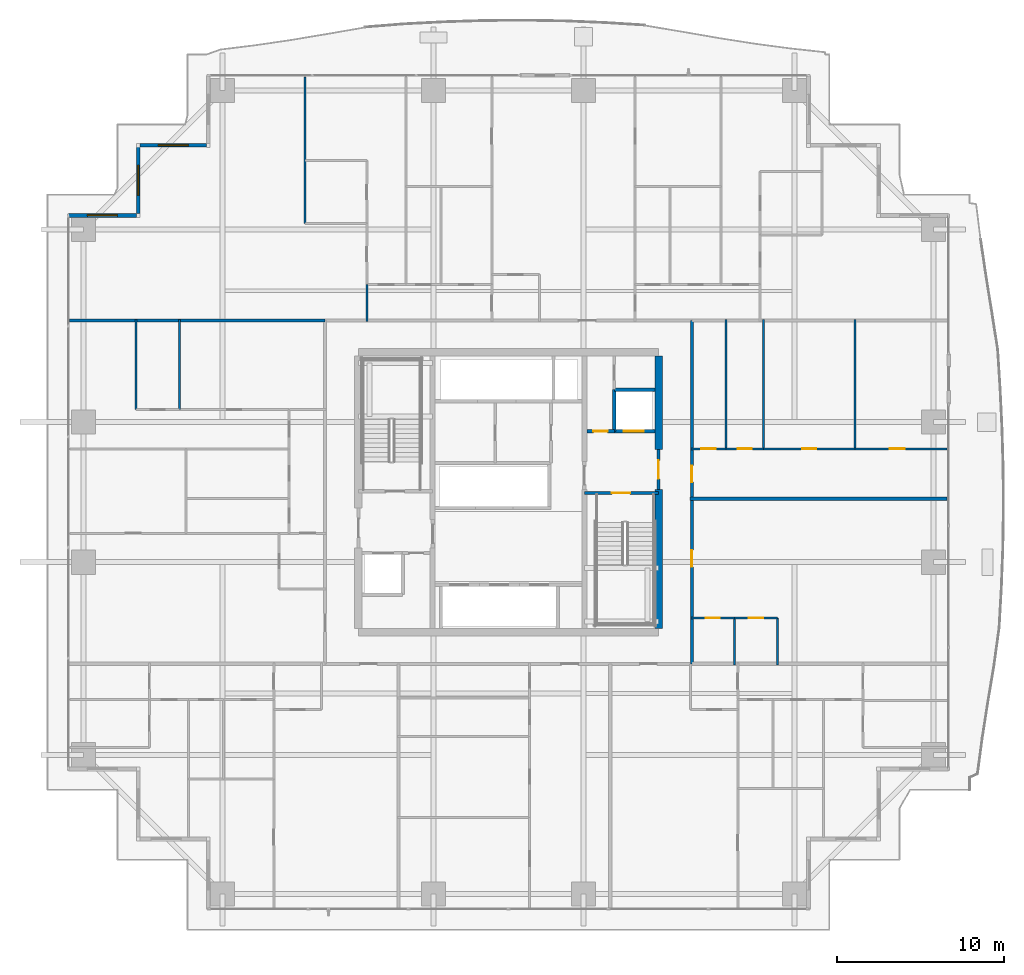
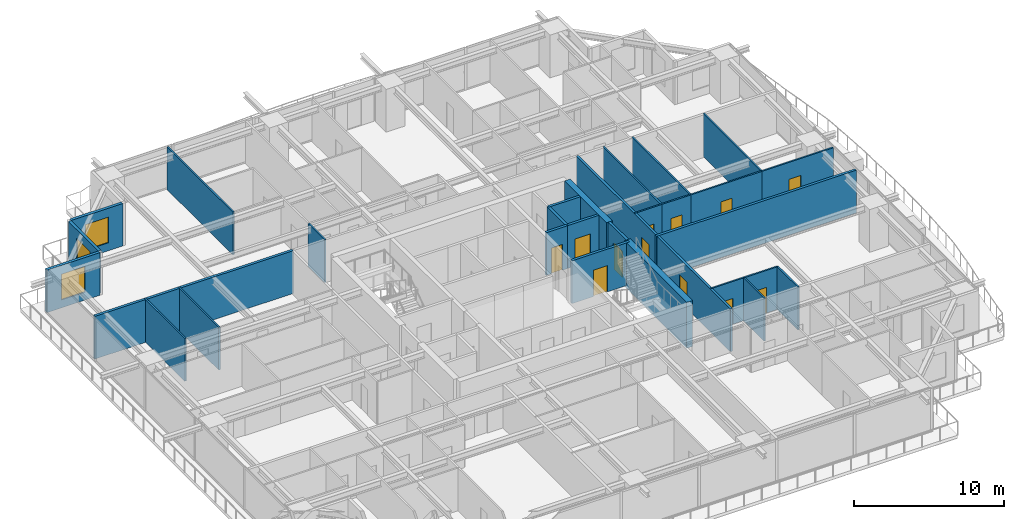
# One storey, part 29 of 38: 29 walls, 12 doors, 3 windows, 15 openings.
"""IFC4 building model written with IfcOpenShell, lengths in metres."""

from ifc_helpers import new_model, si_unit, direction, frame, frame_2d, origin, place, context, subcontext, project, spatial, rectangle, extrude, source, transform, mapped, material, layer, layer_set, type_object, element, fill, save


model = new_model("IFC4")

# Units and contexts
model_context = context("Model", 3, precision=1e-05, world=origin(), true_north=direction((0.0, 1.0)))
body_context = subcontext(model_context, "Body", "Model", "MODEL_VIEW")
ifc_project = project(units=[si_unit("LENGTHUNIT", "METRE"), si_unit("AREAUNIT", "SQUARE_METRE"), si_unit("VOLUMEUNIT", "CUBIC_METRE"), si_unit("PLANEANGLEUNIT", "RADIAN"), si_unit("MASSUNIT", "GRAM", prefix="KILO")], contexts=[model_context])

# Site, building, storey
site_placement = place(None, origin())
site = spatial("IfcSite", under=ifc_project, at=site_placement, CompositionType="ELEMENT")
building_placement = place(site_placement, origin())
building = spatial("IfcBuilding", under=site, at=building_placement, Name="Serunith Strait Residences", CompositionType="ELEMENT")
storey_placement = place(building_placement, frame((0.0, 0.0, 52.949951171875)))
storey = spatial("IfcBuildingStorey", under=building, at=storey_placement, Name="L12", CompositionType="ELEMENT", Elevation=52.949951171875)

# Wall, opening, window
ifc_material_1 = material(Name="Pale-Champagne Aluminium Insulated Panel", Category="aluminium")
ifc_layer_1 = layer(ifc_material_1, 0.219970703125, Name="Pale-Champagne Aluminium Insulated Panel")
ifc_layer_set_1 = layer_set([ifc_layer_1], Name="Pale-Champagne Aluminium Insulated Panel")
wall_type_1 = type_object("IfcWallType", Name="EW-ALUM-220", PredefinedType="ELEMENTEDWALL", material=ifc_layer_set_1)
wall_1_placement = place(storey_placement, frame((14.2900390625, 46.0, 0.0), z_axis=(0.0, 0.0, 1.0), x_axis=(-1.0, 0.0, 0.0)))
wall_1 = element("IfcWall", 1, at=wall_1_placement, inside=storey, type_object=wall_type_1, Name="L12 Girih Serrated Corner Wall 13", PredefinedType="ELEMENTEDWALL", context=body_context, shape_type="SweptSolid", body=[
    extrude(rectangle(XDim=3.97998046875, YDim=0.219970703125, at=frame_2d((1.989990234375, 0.0))), origin(), (0.0, 0.0, 1.0), 3.47509765625),
])
opening_1_placement = place(wall_1_placement, frame((1.090087890625, 0.0, 0.64990234375)))
opening_1 = element("IfcOpeningElement", 2, at=opening_1_placement, cuts=wall_1, Name="Opening W-01", PredefinedType="OPENING", context=body_context, shape_type="SweptSolid", body=[
    extrude(rectangle(XDim=1.800048828125, YDim=2.10009765625, at=frame_2d((0.89990234375, 1.050048828125))), frame((0.0, 0.1201171875, 0.0), z_axis=(0.0, -1.0, 0.0), x_axis=(1.0, 0.0, 0.0)), (0.0, 0.0, 1.0), 0.239990234375),
])
ifc_material_2 = material(Name="Ceramic-Fritted Operable Aluminium Window Glass", Category="aluminium")
window_type = type_object("IfcWindowType", Name="WIN-C1", PartitioningType="DOUBLE_PANEL_VERTICAL", PredefinedType="WINDOW", material=ifc_material_2)
shared_shape_1 = source(origin(), body_context, "Body", "SweptSolid", [
    extrude(rectangle(XDim=1.800048828125, YDim=2.10009765625, at=frame_2d((0.89990234375, 1.050048828125))), frame((0.0, 0.030029296875, 0.0), z_axis=(0.0, -1.0, 0.0), x_axis=(1.0, 0.0, 0.0)), (0.0, 0.0, 1.0), 0.06005859375),
])
window_1_placement = place(opening_1_placement, origin())
window_1 = element("IfcWindow", 3, at=window_1_placement, inside=storey, type_object=window_type, Name="L12 Corner Operable Fritted Window 13", OverallHeight=2.10009765625, OverallWidth=1.800048828125, PartitioningType="SINGLE_PANEL", PredefinedType="WINDOW", context=body_context, shape_type="MappedRepresentation", body=[
    mapped(shared_shape_1, transform((0.0, 0.0, 0.0), scale=1.0)),
])
fill(opening_1, window_1)

wall_2_placement = place(storey_placement, frame((10.199951171875, 45.889892578125, 0.0), z_axis=(0.0, 0.0, 1.0), x_axis=(0.0, -1.0, 0.0)))
wall_2 = element("IfcWall", 4, at=wall_2_placement, inside=storey, type_object=wall_type_1, Name="L12 Girih Serrated Corner Wall 14", PredefinedType="ELEMENTEDWALL", context=body_context, shape_type="SweptSolid", body=[
    extrude(rectangle(XDim=3.97998046875, YDim=0.219970703125, at=frame_2d((1.989990234375, 0.0))), origin(), (0.0, 0.0, 1.0), 3.47509765625),
])
opening_2_placement = place(wall_2_placement, frame((1.090087890625, 0.0, 0.64990234375)))
opening_2 = element("IfcOpeningElement", 5, at=opening_2_placement, cuts=wall_2, Name="Opening W-01", PredefinedType="OPENING", context=body_context, shape_type="SweptSolid", body=[
    extrude(rectangle(XDim=1.800048828125, YDim=2.10009765625, at=frame_2d((0.89990234375, 1.050048828125))), frame((0.0, 0.1201171875, 0.0), z_axis=(0.0, -1.0, 0.0), x_axis=(1.0, 0.0, 0.0)), (0.0, 0.0, 1.0), 0.239990234375),
])
window_2_placement = place(opening_2_placement, origin())
window_2 = element("IfcWindow", 6, at=window_2_placement, inside=storey, type_object=window_type, Name="L12 Corner Operable Fritted Window 14", OverallHeight=2.10009765625, OverallWidth=1.800048828125, PartitioningType="SINGLE_PANEL", PredefinedType="WINDOW", context=body_context, shape_type="MappedRepresentation", body=[
    mapped(shared_shape_1, transform((0.0, 0.0, 0.0), scale=1.0)),
])
fill(opening_2, window_2)

wall_3_placement = place(storey_placement, frame((10.090087890625, 41.800048828125, 0.0), z_axis=(0.0, 0.0, 1.0), x_axis=(-1.0, 0.0, 0.0)))
wall_3 = element("IfcWall", 7, at=wall_3_placement, inside=storey, type_object=wall_type_1, Name="L12 Girih Serrated Corner Wall 15", PredefinedType="ELEMENTEDWALL", context=body_context, shape_type="SweptSolid", body=[
    extrude(rectangle(XDim=4.090087890625, YDim=0.219970703125, at=frame_2d((2.044921875, 0.0))), origin(), (0.0, 0.0, 1.0), 3.47509765625),
])
opening_3_placement = place(wall_3_placement, frame((1.14501953125, 0.0, 0.64990234375)))
opening_3 = element("IfcOpeningElement", 8, at=opening_3_placement, cuts=wall_3, Name="Opening W-01", PredefinedType="OPENING", context=body_context, shape_type="SweptSolid", body=[
    extrude(rectangle(XDim=1.800048828125, YDim=2.10009765625, at=frame_2d((0.89990234375, 1.050048828125))), frame((0.0, 0.1201171875, 0.0), z_axis=(0.0, -1.0, 0.0), x_axis=(1.0, 0.0, 0.0)), (0.0, 0.0, 1.0), 0.239990234375),
])
window_3_placement = place(opening_3_placement, origin())
window_3 = element("IfcWindow", 9, at=window_3_placement, inside=storey, type_object=window_type, Name="L12 Corner Operable Fritted Window 15", OverallHeight=2.10009765625, OverallWidth=1.800048828125, PartitioningType="SINGLE_PANEL", PredefinedType="WINDOW", context=body_context, shape_type="MappedRepresentation", body=[
    mapped(shared_shape_1, transform((0.0, 0.0, 0.0), scale=1.0)),
])
fill(opening_3, window_3)

# Wall, openings, doors
ifc_material_3 = material(Name="Fire-rated acoustic gypsum partition")
ifc_layer_2 = layer(ifc_material_3, 0.179931640625, Name="Fire-rated acoustic gypsum partition")
ifc_layer_set_2 = layer_set([ifc_layer_2], Name="Fire-rated acoustic gypsum partition")
wall_type_2 = type_object("IfcWallType", Name="IW-CORR-180", PredefinedType="PARTITIONING", material=ifc_layer_set_2)
wall_4_placement = place(storey_placement, frame((43.39990234375, 14.89990234375, 0.0), z_axis=(0.0, 0.0, 1.0), x_axis=(0.0, 1.0, 0.0)))
wall_4 = element("IfcWall", 10, at=wall_4_placement, inside=storey, type_object=wall_type_2, Name="L12 Partition Wall 025", PredefinedType="PARTITIONING", context=body_context, shape_type="SweptSolid", body=[
    extrude(rectangle(XDim=20.60009765625, YDim=0.179931640625, at=frame_2d((10.300048828125, 0.0))), origin(), (0.0, 0.0, 1.0), 3.489990234375),
])
opening_4_placement = place(wall_4_placement, frame((5.821044921875, 0.0, 0.0)))
opening_4 = element("IfcOpeningElement", 11, at=opening_4_placement, cuts=wall_4, Name="Opening D-APT1000", PredefinedType="OPENING", context=body_context, shape_type="SweptSolid", body=[
    extrude(rectangle(XDim=1.0, YDim=2.14990234375, at=frame_2d((0.5, 1.074951171875))), frame((0.0, 0.10009765625, 0.0), z_axis=(0.0, -1.0, 0.0), x_axis=(1.0, 0.0, 0.0)), (0.0, 0.0, 1.0), 0.199951171875),
])
opening_5_placement = place(wall_4_placement, frame((10.89794921875, 0.0, 0.0)))
opening_5 = element("IfcOpeningElement", 12, at=opening_5_placement, cuts=wall_4, Name="Opening D-APT1000", PredefinedType="OPENING", context=body_context, shape_type="SweptSolid", body=[
    extrude(rectangle(XDim=1.0, YDim=2.14990234375, at=frame_2d((0.5, 1.074951171875))), frame((0.0, 0.10009765625, 0.0), z_axis=(0.0, -1.0, 0.0), x_axis=(1.0, 0.0, 0.0)), (0.0, 0.0, 1.0), 0.199951171875),
])
ifc_material_4 = material(Name="Solid timber engineered fire door", Category="wood")
door_type_1 = type_object("IfcDoorType", Name="ID-APT-1000", OperationType="NOTDEFINED", PredefinedType="DOOR", material=ifc_material_4)
shared_shape_2 = source(origin(), body_context, "Body", "SweptSolid", [
    extrude(rectangle(XDim=1.0, YDim=2.14990234375, at=frame_2d((0.5, 1.074951171875))), frame((0.0, 0.02490234375, 0.0), z_axis=(0.0, -1.0, 0.0), x_axis=(1.0, 0.0, 0.0)), (0.0, 0.0, 1.0), 0.050048828125),
])
door_1_placement = place(opening_4_placement, origin())
door_1 = element("IfcDoor", 13, at=door_1_placement, inside=storey, type_object=door_type_1, Name="L12 Unit 06 Entrance Door", OperationType="SINGLE_SWING_RIGHT", OverallHeight=2.14990234375, OverallWidth=1.0, PredefinedType="DOOR", context=body_context, shape_type="MappedRepresentation", body=[
    mapped(shared_shape_2, transform((0.0, 0.0, 0.0), scale=1.0)),
])
fill(opening_4, door_1)
door_2_placement = place(opening_5_placement, origin())
door_2 = element("IfcDoor", 14, at=door_2_placement, inside=storey, type_object=door_type_1, Name="L12 Unit 07 Entrance Door", OperationType="SINGLE_SWING_LEFT", OverallHeight=2.14990234375, OverallWidth=1.0, PredefinedType="DOOR", context=body_context, shape_type="MappedRepresentation", body=[
    mapped(shared_shape_2, transform((0.0, 0.0, 0.0), scale=1.0)),
])
fill(opening_5, door_2)

# Walls
ifc_material_5 = material(Name="Lightweight steel-stud gypsum partition", Category="steel")
ifc_layer_3 = layer(ifc_material_5, 0.1201171875, Name="Lightweight steel-stud gypsum partition")
ifc_layer_set_3 = layer_set([ifc_layer_3], Name="Lightweight steel-stud gypsum partition")
wall_type_3 = type_object("IfcWallType", Name="IW-PART-120", PredefinedType="PARTITIONING", material=ifc_layer_set_3)
wall_5_placement = place(storey_placement, frame((20.199951171875, 50.10498046875, 0.0), z_axis=(0.0, 0.0, 1.0), x_axis=(0.0, -1.0, 0.0)))
element("IfcWall", 15, at=wall_5_placement, inside=storey, type_object=wall_type_3, Name="L12 Partition Wall 075", PredefinedType="PARTITIONING", context=body_context, shape_type="SweptSolid", body=[
    extrude(rectangle(XDim=8.798095703125, YDim=0.1201171875, at=frame_2d((4.39892578125, 0.0))), origin(), (0.0, 0.0, 1.0), 3.489990234375),
])
wall_6_placement = place(storey_placement, frame((23.89990234375, 37.64794921875, 0.0), z_axis=(0.0, 0.0, 1.0), x_axis=(0.0, -1.0, 0.0)))
element("IfcWall", 16, at=wall_6_placement, inside=storey, type_object=wall_type_3, Name="L12 Partition Wall 079", PredefinedType="PARTITIONING", context=body_context, shape_type="SweptSolid", body=[
    extrude(rectangle(XDim=2.2080078125, YDim=0.1201171875, at=frame_2d((1.10400390625, 0.0))), origin(), (0.0, 0.0, 1.0), 3.489990234375),
])
for number, where, z_axis, x_axis, name in (
    (17, (10.050048828125, 30.14990234375, 0.0), (0.0, 0.0, 1.0), (0.0, 1.0, 0.0), "L12 Partition Wall 106"),
    (18, (12.6669921875, 30.14990234375, 0.0), (0.0, 0.0, 1.0), (0.0, 1.0, 0.0), "L12 Partition Wall 107"),
):
    element("IfcWall", number, at=place(storey_placement, frame(where, z_axis=z_axis, x_axis=x_axis)), inside=storey, type_object=wall_type_3, Name=name, PredefinedType="PARTITIONING", context=body_context, shape_type="SweptSolid", body=[
        extrude(rectangle(XDim=5.41015625, YDim=0.1201171875, at=frame_2d((2.705078125, 0.0))), origin(), (0.0, 0.0, 1.0), 3.489990234375),
    ])

# Wall, opening, door
wall_7_placement = place(storey_placement, frame((48.550048828125, 17.64990234375, 0.0), z_axis=(0.0, 0.0, 1.0), x_axis=(-1.0, 0.0, 0.0)))
wall_7 = element("IfcWall", 19, at=wall_7_placement, inside=storey, type_object=wall_type_3, Name="L12 Partition Wall 111", PredefinedType="PARTITIONING", context=body_context, shape_type="SweptSolid", body=[
    extrude(rectangle(XDim=2.60009765625, YDim=0.1201171875, at=frame_2d((1.300048828125, 0.0))), origin(), (0.0, 0.0, 1.0), 3.489990234375),
])
opening_6_placement = place(wall_7_placement, frame((0.875, 0.0, 0.0)))
opening_6 = element("IfcOpeningElement", 20, at=opening_6_placement, cuts=wall_7, Name="Opening D-RM850", PredefinedType="OPENING", context=body_context, shape_type="SweptSolid", body=[
    extrude(rectangle(XDim=0.85009765625, YDim=2.10009765625, at=frame_2d((0.425048828125, 1.050048828125))), frame((0.0, 0.070068359375, 0.0), z_axis=(0.0, -1.0, 0.0), x_axis=(1.0, 0.0, 0.0)), (0.0, 0.0, 1.0), 0.14013671875),
])
ifc_material_6 = material(Name="Engineered timber flush study and kitchen door", Category="wood")
door_type_2 = type_object("IfcDoorType", Name="ID-ROOM-850", OperationType="NOTDEFINED", PredefinedType="DOOR", material=ifc_material_6)
shared_shape_3 = source(origin(), body_context, "Body", "SweptSolid", [
    extrude(rectangle(XDim=0.85009765625, YDim=2.10009765625, at=frame_2d((0.425048828125, 1.050048828125))), frame((0.0, 0.02490234375, 0.0), z_axis=(0.0, -1.0, 0.0), x_axis=(1.0, 0.0, 0.0)), (0.0, 0.0, 1.0), 0.050048828125),
])
door_3_placement = place(opening_6_placement, origin())
door_3 = element("IfcDoor", 21, at=door_3_placement, inside=storey, type_object=door_type_2, Name="L12 Kitchen 1206 Door", OperationType="SINGLE_SWING_LEFT", OverallHeight=2.10009765625, OverallWidth=0.85009765625, PredefinedType="DOOR", context=body_context, shape_type="MappedRepresentation", body=[
    mapped(shared_shape_3, transform((0.0, 0.0, 0.0), scale=1.0)),
])
fill(opening_6, door_3)

wall_8_placement = place(storey_placement, frame((45.947998046875, 17.64990234375, 0.0), z_axis=(0.0, 0.0, 1.0), x_axis=(-1.0, 0.0, 0.0)))
wall_8 = element("IfcWall", 22, at=wall_8_placement, inside=storey, type_object=wall_type_3, Name="L12 Partition Wall 112", PredefinedType="PARTITIONING", context=body_context, shape_type="SweptSolid", body=[
    extrude(rectangle(XDim=2.60791015625, YDim=0.1201171875, at=frame_2d((1.303955078125, 0.0))), origin(), (0.0, 0.0, 1.0), 3.489990234375),
])
opening_7_placement = place(wall_8_placement, frame((0.87890625, 0.0, 0.0)))
opening_7 = element("IfcOpeningElement", 23, at=opening_7_placement, cuts=wall_8, Name="Opening D-BTH850", PredefinedType="OPENING", context=body_context, shape_type="SweptSolid", body=[
    extrude(rectangle(XDim=0.85009765625, YDim=2.10009765625, at=frame_2d((0.425048828125, 1.050048828125))), frame((0.0, 0.070068359375, 0.0), z_axis=(0.0, -1.0, 0.0), x_axis=(1.0, 0.0, 0.0)), (0.0, 0.0, 1.0), 0.14013671875),
])
ifc_material_7 = material(Name="Moisture-resistant timber bathroom door", Category="wood")
door_type_3 = type_object("IfcDoorType", Name="ID-BATH-850", OperationType="NOTDEFINED", PredefinedType="DOOR", material=ifc_material_7)
door_4_placement = place(opening_7_placement, origin())
door_4 = element("IfcDoor", 24, at=door_4_placement, inside=storey, type_object=door_type_3, Name="L12 Bathroom 1206 Door", OperationType="SINGLE_SWING_RIGHT", OverallHeight=2.10009765625, OverallWidth=0.85009765625, PredefinedType="DOOR", context=body_context, shape_type="MappedRepresentation", body=[
    mapped(shared_shape_3, transform((0.0, 0.0, 0.0), scale=1.0)),
])
fill(opening_7, door_4)

# Walls
for number, where, z_axis, x_axis, name in (
    (25, (45.949951171875, 14.840087890625, 0.0), (0.0, 0.0, 1.0), (0.0, 1.0, 0.0), "L12 Partition Wall 113"),
    (26, (48.550048828125, 14.840087890625, 0.0), (0.0, 0.0, 1.0), (0.0, 1.0, 0.0), "L12 Partition Wall 114"),
):
    element("IfcWall", number, at=place(storey_placement, frame(where, z_axis=z_axis, x_axis=x_axis)), inside=storey, type_object=wall_type_3, Name=name, PredefinedType="PARTITIONING", context=body_context, shape_type="SweptSolid", body=[
        extrude(rectangle(XDim=2.809814453125, YDim=0.1201171875, at=frame_2d((1.40478515625, 0.0))), origin(), (0.0, 0.0, 1.0), 3.489990234375),
    ])

# Wall, opening, door
wall_9_placement = place(storey_placement, frame((58.705078125, 27.800048828125, 0.0), z_axis=(0.0, 0.0, 1.0), x_axis=(-1.0, 0.0, 0.0)))
wall_9 = element("IfcWall", 27, at=wall_9_placement, inside=storey, type_object=wall_type_3, Name="L12 Partition Wall 115", PredefinedType="PARTITIONING", context=body_context, shape_type="SweptSolid", body=[
    extrude(rectangle(XDim=5.51416015625, YDim=0.1201171875, at=frame_2d((2.757080078125, 0.0))), origin(), (0.0, 0.0, 1.0), 3.489990234375),
])
opening_8_placement = place(wall_9_placement, frame((2.5380859375, 0.0, 0.0)))
opening_8 = element("IfcOpeningElement", 28, at=opening_8_placement, cuts=wall_9, Name="Opening D-RM900", PredefinedType="OPENING", context=body_context, shape_type="SweptSolid", body=[
    extrude(rectangle(XDim=0.89990234375, YDim=2.10009765625, at=frame_2d((0.449951171875, 1.050048828125))), frame((0.0, 0.070068359375, 0.0), z_axis=(0.0, -1.0, 0.0), x_axis=(1.0, 0.0, 0.0)), (0.0, 0.0, 1.0), 0.14013671875),
])
ifc_material_8 = material(Name="Engineered timber flush bedroom door", Category="wood")
door_type_4 = type_object("IfcDoorType", Name="ID-ROOM-900", OperationType="NOTDEFINED", PredefinedType="DOOR", material=ifc_material_8)
shared_shape_4 = source(origin(), body_context, "Body", "SweptSolid", [
    extrude(rectangle(XDim=0.89990234375, YDim=2.10009765625, at=frame_2d((0.449951171875, 1.050048828125))), frame((0.0, 0.02490234375, 0.0), z_axis=(0.0, -1.0, 0.0), x_axis=(1.0, 0.0, 0.0)), (0.0, 0.0, 1.0), 0.050048828125),
])
door_5_placement = place(opening_8_placement, origin())
door_5 = element("IfcDoor", 29, at=door_5_placement, inside=storey, type_object=door_type_4, Name="L12 Master Bedroom 1 1207 Door", OperationType="SINGLE_SWING_LEFT", OverallHeight=2.10009765625, OverallWidth=0.89990234375, PredefinedType="DOOR", context=body_context, shape_type="MappedRepresentation", body=[
    mapped(shared_shape_4, transform((0.0, 0.0, 0.0), scale=1.0)),
])
fill(opening_8, door_5)

# Walls
for number, where, z_axis, x_axis, name in (
    (30, (53.19091796875, 27.800048828125, 0.0), (0.0, 0.0, 1.0), (0.0, 1.0, 0.0), "L12 Partition Wall 116"),
    (31, (47.697021484375, 27.800048828125, 0.0), (0.0, 0.0, 1.0), (0.0, 1.0, 0.0), "L12 Partition Wall 117"),
    (32, (45.449951171875, 27.800048828125, 0.0), (0.0, 0.0, 1.0), (0.0, 1.0, 0.0), "L12 Partition Wall 118"),
):
    element("IfcWall", number, at=place(storey_placement, frame(where, z_axis=z_axis, x_axis=x_axis)), inside=storey, type_object=wall_type_3, Name=name, PredefinedType="PARTITIONING", context=body_context, shape_type="SweptSolid", body=[
        extrude(rectangle(XDim=7.760009765625, YDim=0.1201171875, at=frame_2d((3.8798828125, 0.0))), origin(), (0.0, 0.0, 1.0), 3.489990234375),
    ])

# Wall, opening, door
wall_10_placement = place(storey_placement, frame((53.18896484375, 27.800048828125, 0.0), z_axis=(0.0, 0.0, 1.0), x_axis=(-1.0, 0.0, 0.0)))
wall_10 = element("IfcWall", 33, at=wall_10_placement, inside=storey, type_object=wall_type_3, Name="L12 Partition Wall 119", PredefinedType="PARTITIONING", context=body_context, shape_type="SweptSolid", body=[
    extrude(rectangle(XDim=5.491943359375, YDim=0.1201171875, at=frame_2d((2.74609375, 0.0))), origin(), (0.0, 0.0, 1.0), 3.489990234375),
])
opening_9_placement = place(wall_10_placement, frame((2.321044921875, 0.0, 0.0)))
opening_9 = element("IfcOpeningElement", 34, at=opening_9_placement, cuts=wall_10, Name="Opening D-RM850", PredefinedType="OPENING", context=body_context, shape_type="SweptSolid", body=[
    extrude(rectangle(XDim=0.85009765625, YDim=2.10009765625, at=frame_2d((0.425048828125, 1.050048828125))), frame((0.0, 0.070068359375, 0.0), z_axis=(0.0, -1.0, 0.0), x_axis=(1.0, 0.0, 0.0)), (0.0, 0.0, 1.0), 0.14013671875),
])
door_6_placement = place(opening_9_placement, origin())
door_6 = element("IfcDoor", 35, at=door_6_placement, inside=storey, type_object=door_type_2, Name="L12 Dining 1207 Door", OperationType="SINGLE_SWING_RIGHT", OverallHeight=2.10009765625, OverallWidth=0.85009765625, PredefinedType="DOOR", context=body_context, shape_type="MappedRepresentation", body=[
    mapped(shared_shape_3, transform((0.0, 0.0, 0.0), scale=1.0)),
])
fill(opening_9, door_6)

wall_11_placement = place(storey_placement, frame((47.695068359375, 27.800048828125, 0.0), z_axis=(0.0, 0.0, 1.0), x_axis=(-1.0, 0.0, 0.0)))
wall_11 = element("IfcWall", 36, at=wall_11_placement, inside=storey, type_object=wall_type_3, Name="L12 Partition Wall 120", PredefinedType="PARTITIONING", context=body_context, shape_type="SweptSolid", body=[
    extrude(rectangle(XDim=2.2451171875, YDim=0.1201171875, at=frame_2d((1.12255859375, 0.0))), origin(), (0.0, 0.0, 1.0), 3.489990234375),
])
opening_10_placement = place(wall_11_placement, frame((0.697021484375, 0.0, 0.0)))
opening_10 = element("IfcOpeningElement", 37, at=opening_10_placement, cuts=wall_11, Name="Opening D-RM850", PredefinedType="OPENING", context=body_context, shape_type="SweptSolid", body=[
    extrude(rectangle(XDim=0.85009765625, YDim=2.10009765625, at=frame_2d((0.425048828125, 1.050048828125))), frame((0.0, 0.070068359375, 0.0), z_axis=(0.0, -1.0, 0.0), x_axis=(1.0, 0.0, 0.0)), (0.0, 0.0, 1.0), 0.14013671875),
])
door_7_placement = place(opening_10_placement, origin())
door_7 = element("IfcDoor", 38, at=door_7_placement, inside=storey, type_object=door_type_2, Name="L12 Kitchen 1207 Door", OperationType="SINGLE_SWING_LEFT", OverallHeight=2.10009765625, OverallWidth=0.85009765625, PredefinedType="DOOR", context=body_context, shape_type="MappedRepresentation", body=[
    mapped(shared_shape_3, transform((0.0, 0.0, 0.0), scale=1.0)),
])
fill(opening_10, door_7)

wall_12_placement = place(storey_placement, frame((45.447998046875, 27.800048828125, 0.0), z_axis=(0.0, 0.0, 1.0), x_axis=(-1.0, 0.0, 0.0)))
wall_12 = element("IfcWall", 39, at=wall_12_placement, inside=storey, type_object=wall_type_3, Name="L12 Partition Wall 121", PredefinedType="PARTITIONING", context=body_context, shape_type="SweptSolid", body=[
    extrude(rectangle(XDim=2.10791015625, YDim=0.1201171875, at=frame_2d((1.053955078125, 0.0))), origin(), (0.0, 0.0, 1.0), 3.489990234375),
])
opening_11_placement = place(wall_12_placement, frame((0.62890625, 0.0, 0.0)))
opening_11 = element("IfcOpeningElement", 40, at=opening_11_placement, cuts=wall_12, Name="Opening D-BTH850", PredefinedType="OPENING", context=body_context, shape_type="SweptSolid", body=[
    extrude(rectangle(XDim=0.85009765625, YDim=2.10009765625, at=frame_2d((0.425048828125, 1.050048828125))), frame((0.0, 0.070068359375, 0.0), z_axis=(0.0, -1.0, 0.0), x_axis=(1.0, 0.0, 0.0)), (0.0, 0.0, 1.0), 0.14013671875),
])
door_8_placement = place(opening_11_placement, origin())
door_8 = element("IfcDoor", 41, at=door_8_placement, inside=storey, type_object=door_type_3, Name="L12 Bathroom 1207 Door", OperationType="SINGLE_SWING_RIGHT", OverallHeight=2.10009765625, OverallWidth=0.85009765625, PredefinedType="DOOR", context=body_context, shape_type="MappedRepresentation", body=[
    mapped(shared_shape_3, transform((0.0, 0.0, 0.0), scale=1.0)),
])
fill(opening_11, door_8)

# Walls
ifc_material_9 = material(Name="Twin-stud acoustic gypsum board partition")
ifc_layer_4 = layer(ifc_material_9, 0.199951171875, Name="Twin-stud acoustic gypsum board partition")
ifc_layer_set_4 = layer_set([ifc_layer_4], Name="Twin-stud acoustic gypsum board partition")
wall_type_4 = type_object("IfcWallType", Name="IW-PARTY-200", PredefinedType="PARTITIONING", material=ifc_layer_set_4)
wall_13_placement = place(storey_placement, frame((43.280029296875, 24.800048828125, 0.0), z_axis=(0.0, 0.0, 1.0), x_axis=(1.0, 0.0, 0.0)))
element("IfcWall", 42, at=wall_13_placement, inside=storey, type_object=wall_type_4, Name="L12 Partition Wall 017", PredefinedType="PARTITIONING", context=body_context, shape_type="SweptSolid", body=[
    extrude(rectangle(XDim=15.43798828125, YDim=0.199951171875, at=frame_2d((7.718994140625, 0.0))), origin(), (0.0, 0.0, 1.0), 3.489990234375),
])
wall_14_placement = place(storey_placement, frame((6.08203125, 35.5, 0.0), z_axis=(0.0, 0.0, 1.0), x_axis=(1.0, 0.0, 0.0)))
element("IfcWall", 43, at=wall_14_placement, inside=storey, type_object=wall_type_4, Name="L12 Partition Wall 020", PredefinedType="PARTITIONING", context=body_context, shape_type="SweptSolid", body=[
    extrude(rectangle(XDim=15.31787109375, YDim=0.199951171875, at=frame_2d((7.658935546875, 0.0))), origin(), (0.0, 0.0, 1.0), 3.489990234375),
])

# Wall, opening, door
ifc_material_10 = material(Name="Autoclaved aerated concrete blockwork", Category="masonry")
ifc_layer_5 = layer(ifc_material_10, 0.199951171875, Name="Autoclaved aerated concrete blockwork")
ifc_layer_set_5 = layer_set([ifc_layer_5], Name="Autoclaved aerated concrete blockwork")
wall_type_5 = type_object("IfcWallType", Name="IW-SHAFT-200", PredefinedType="STANDARD", material=ifc_layer_set_5)
wall_15_placement = place(storey_placement, frame((36.949951171875, 25.14990234375, 0.0), z_axis=(0.0, 0.0, 1.0), x_axis=(1.0, 0.0, 0.0)))
wall_15 = element("IfcWall", 44, at=wall_15_placement, inside=storey, type_object=wall_type_5, Name="L12 ST-2 North Shaft Wall", PredefinedType="STANDARD", context=body_context, shape_type="SweptSolid", body=[
    extrude(rectangle(XDim=4.449951171875, YDim=0.199951171875, at=frame_2d((2.22509765625, 0.0))), origin(), (0.0, 0.0, 1.0), 3.489990234375),
])
opening_12_placement = place(wall_15_placement, frame((1.64990234375, 0.0, 0.0)))
opening_12 = element("IfcOpeningElement", 45, at=opening_12_placement, cuts=wall_15, Name="Opening FD-1100", PredefinedType="OPENING", context=body_context, shape_type="SweptSolid", body=[
    extrude(rectangle(XDim=1.10009765625, YDim=2.14990234375, at=frame_2d((0.550048828125, 1.074951171875))), frame((0.0, 0.10986328125, 0.0), z_axis=(0.0, -1.0, 0.0), x_axis=(1.0, 0.0, 0.0)), (0.0, 0.0, 1.0), 0.219970703125),
])
ifc_material_11 = material(Name="Galvanised steel fire door leaf", Category="steel")
door_type_5 = type_object("IfcDoorType", Name="FD-STAIR-1100", OperationType="NOTDEFINED", PredefinedType="DOOR", material=ifc_material_11)
shared_shape_5 = source(origin(), body_context, "Body", "SweptSolid", [
    extrude(rectangle(XDim=1.10009765625, YDim=2.14990234375, at=frame_2d((0.550048828125, 1.074951171875))), frame((0.0, 0.02490234375, 0.0), z_axis=(0.0, -1.0, 0.0), x_axis=(1.0, 0.0, 0.0)), (0.0, 0.0, 1.0), 0.050048828125),
])
door_9_placement = place(opening_12_placement, origin())
door_9 = element("IfcDoor", 46, at=door_9_placement, inside=storey, type_object=door_type_5, Name="L12 ST-2 Escape Stair Door", OperationType="SINGLE_SWING_LEFT", OverallHeight=2.14990234375, OverallWidth=1.10009765625, PredefinedType="DOOR", context=body_context, shape_type="MappedRepresentation", body=[
    mapped(shared_shape_5, transform((0.0, 0.0, 0.0), scale=1.0)),
])
fill(opening_12, door_9)

wall_16_placement = place(storey_placement, frame((38.75, 28.85009765625, 0.0), z_axis=(0.0, 0.0, 1.0), x_axis=(1.0, 0.0, 0.0)))
wall_16 = element("IfcWall", 47, at=wall_16_placement, inside=storey, type_object=wall_type_5, Name="L12 FL-2 South Shaft Wall", PredefinedType="STANDARD", context=body_context, shape_type="SweptSolid", body=[
    extrude(rectangle(XDim=2.425048828125, YDim=0.199951171875, at=frame_2d((1.21240234375, 0.0))), origin(), (0.0, 0.0, 1.0), 3.489990234375),
])
opening_13_placement = place(wall_16_placement, frame((0.550048828125, 0.0, 0.0)))
opening_13 = element("IfcOpeningElement", 48, at=opening_13_placement, cuts=wall_16, Name="Opening LD-FF1200", PredefinedType="OPENING", context=body_context, shape_type="SweptSolid", body=[
    extrude(rectangle(XDim=1.199951171875, YDim=2.199951171875, at=frame_2d((0.60009765625, 1.10009765625))), frame((0.0, 0.10986328125, 0.0), z_axis=(0.0, -1.0, 0.0), x_axis=(1.0, 0.0, 0.0)), (0.0, 0.0, 1.0), 0.219970703125),
])
ifc_material_12 = material(Name="Brushed stainless steel landing door", Category="steel")
door_type_6 = type_object("IfcDoorType", Name="LD-FF-1200", OperationType="DOUBLE_DOOR_SLIDING", PredefinedType="DOOR", material=ifc_material_12)
shared_shape_6 = source(origin(), body_context, "Body", "SweptSolid", [
    extrude(rectangle(XDim=1.199951171875, YDim=2.199951171875, at=frame_2d((0.60009765625, 1.10009765625))), frame((0.0, 0.02490234375, 0.0), z_axis=(0.0, -1.0, 0.0), x_axis=(1.0, 0.0, 0.0)), (0.0, 0.0, 1.0), 0.050048828125),
])
door_10_placement = place(opening_13_placement, origin())
door_10 = element("IfcDoor", 49, at=door_10_placement, inside=storey, type_object=door_type_6, Name="L12 FL-2 Landing Door", OperationType="DOUBLE_DOOR_SLIDING", OverallHeight=2.199951171875, OverallWidth=1.199951171875, PredefinedType="DOOR", context=body_context, shape_type="MappedRepresentation", body=[
    mapped(shared_shape_6, transform((0.0, 0.0, 0.0), scale=1.0)),
])
fill(opening_13, door_10)

# Walls
wall_17_placement = place(storey_placement, frame((38.75, 28.85009765625, 0.0), z_axis=(0.0, 0.0, 1.0), x_axis=(0.0, 1.0, 0.0)))
element("IfcWall", 50, at=wall_17_placement, inside=storey, type_object=wall_type_5, Name="L12 Partition Wall 004", PredefinedType="STANDARD", context=body_context, shape_type="SweptSolid", body=[
    extrude(rectangle(XDim=2.5, YDim=0.199951171875, at=frame_2d((1.25, 0.0))), origin(), (0.0, 0.0, 1.0), 3.489990234375),
])
wall_18_placement = place(storey_placement, frame((38.75, 31.35009765625, 0.0), z_axis=(0.0, 0.0, 1.0), x_axis=(1.0, 0.0, 0.0)))
element("IfcWall", 51, at=wall_18_placement, inside=storey, type_object=wall_type_5, Name="L12 Partition Wall 005", PredefinedType="STANDARD", context=body_context, shape_type="SweptSolid", body=[
    extrude(rectangle(XDim=2.425048828125, YDim=0.199951171875, at=frame_2d((1.21240234375, 0.0))), origin(), (0.0, 0.0, 1.0), 3.489990234375),
])

# Wall, opening, door
wall_19_placement = place(storey_placement, frame((37.10009765625, 28.85009765625, 0.0), z_axis=(0.0, 0.0, 1.0), x_axis=(1.0, 0.0, 0.0)))
wall_19 = element("IfcWall", 52, at=wall_19_placement, inside=storey, type_object=wall_type_5, Name="L12 Partition Wall 006", PredefinedType="STANDARD", context=body_context, shape_type="SweptSolid", body=[
    extrude(rectangle(XDim=1.64794921875, YDim=0.199951171875, at=frame_2d((0.823974609375, 0.0))), origin(), (0.0, 0.0, 1.0), 3.489990234375),
])
opening_14_placement = place(wall_19_placement, frame((0.39892578125, 0.0, 0.0)))
opening_14 = element("IfcOpeningElement", 53, at=opening_14_placement, cuts=wall_19, Name="Opening FD-850", PredefinedType="OPENING", context=body_context, shape_type="SweptSolid", body=[
    extrude(rectangle(XDim=0.85009765625, YDim=2.10009765625, at=frame_2d((0.425048828125, 1.050048828125))), frame((0.0, 0.10986328125, 0.0), z_axis=(0.0, -1.0, 0.0), x_axis=(1.0, 0.0, 0.0)), (0.0, 0.0, 1.0), 0.219970703125),
])
ifc_material_13 = material(Name="Powder-coated steel service closet door", Category="steel")
door_type_7 = type_object("IfcDoorType", Name="FD-BOH-850", OperationType="NOTDEFINED", PredefinedType="DOOR", material=ifc_material_13)
door_11_placement = place(opening_14_placement, origin())
door_11 = element("IfcDoor", 54, at=door_11_placement, inside=storey, type_object=door_type_7, Name="L12 North-East Core Service Door", OperationType="SINGLE_SWING_LEFT", OverallHeight=2.10009765625, OverallWidth=0.85009765625, PredefinedType="DOOR", context=body_context, shape_type="MappedRepresentation", body=[
    mapped(shared_shape_3, transform((0.0, 0.0, 0.0), scale=1.0)),
])
fill(opening_14, door_11)

wall_20_placement = place(storey_placement, frame((41.39990234375, 25.35205078125, 0.0), z_axis=(0.0, 0.0, 1.0), x_axis=(0.0, 1.0, 0.0)))
wall_20 = element("IfcWall", 55, at=wall_20_placement, inside=storey, type_object=wall_type_5, Name="L12 Partition Wall 008", PredefinedType="STANDARD", context=body_context, shape_type="SweptSolid", body=[
    extrude(rectangle(XDim=2.39599609375, YDim=0.199951171875, at=frame_2d((1.197998046875, 0.0))), origin(), (0.0, 0.0, 1.0), 3.489990234375),
])
opening_15_placement = place(wall_20_placement, frame((0.64794921875, 0.0, 0.0)))
opening_15 = element("IfcOpeningElement", 56, at=opening_15_placement, cuts=wall_20, Name="Opening FD-FFL", PredefinedType="OPENING", context=body_context, shape_type="SweptSolid", body=[
    extrude(rectangle(XDim=1.10009765625, YDim=2.14990234375, at=frame_2d((0.550048828125, 1.074951171875))), frame((0.0, 0.10986328125, 0.0), z_axis=(0.0, -1.0, 0.0), x_axis=(1.0, 0.0, 0.0)), (0.0, 0.0, 1.0), 0.219970703125),
])
ifc_material_14 = material(Name="Glazed steel smoke-lobby fire door", Category="steel")
door_type_8 = type_object("IfcDoorType", Name="FD-FFL-1100", OperationType="NOTDEFINED", PredefinedType="DOOR", material=ifc_material_14)
door_12_placement = place(opening_15_placement, origin())
door_12 = element("IfcDoor", 57, at=door_12_placement, inside=storey, type_object=door_type_8, Name="L12 FFL-2 Corridor Fire Door", OperationType="SINGLE_SWING_LEFT", OverallHeight=2.14990234375, OverallWidth=1.10009765625, PredefinedType="DOOR", context=body_context, shape_type="MappedRepresentation", body=[
    mapped(shared_shape_5, transform((0.0, 0.0, 0.0), scale=1.0)),
])
fill(opening_15, door_12)

# Walls
ifc_material_15 = material(Name="Concrete C80/95", Category="concrete")
ifc_layer_6 = layer(ifc_material_15, 0.449951171875, Name="Concrete C80/95")
ifc_layer_set_6 = layer_set([ifc_layer_6], Name="Concrete C80/95")
wall_type_6 = type_object("IfcWallType", Name="SW-450-C80", PredefinedType="SHEAR", material=ifc_layer_set_6)
wall_21_placement = place(storey_placement, frame((41.39990234375, 17.02490234375, -0.260009765625), z_axis=(0.0, 0.0, 1.0), x_axis=(0.0, 1.0, 0.0)))
element("IfcWall", 58, at=wall_21_placement, inside=storey, type_object=wall_type_6, Name="L12 Core East Shear Wall South Pier", PredefinedType="SHEAR", context=body_context, shape_type="SweptSolid", body=[
    extrude(rectangle(XDim=8.3251953125, YDim=0.449951171875, at=frame_2d((4.16259765625, 0.0))), origin(), (0.0, 0.0, 1.0), 3.748046875),
])
wall_22_placement = place(storey_placement, frame((41.39990234375, 27.75, -0.260009765625), z_axis=(0.0, 0.0, 1.0), x_axis=(0.0, 1.0, 0.0)))
element("IfcWall", 59, at=wall_22_placement, inside=storey, type_object=wall_type_6, Name="L12 Core East Shear Wall North Pier", PredefinedType="SHEAR", context=body_context, shape_type="SweptSolid", body=[
    extrude(rectangle(XDim=5.625, YDim=0.449951171875, at=frame_2d((2.8125, 0.0))), origin(), (0.0, 0.0, 1.0), 3.748046875),
])

save(model, "model.ifc")
